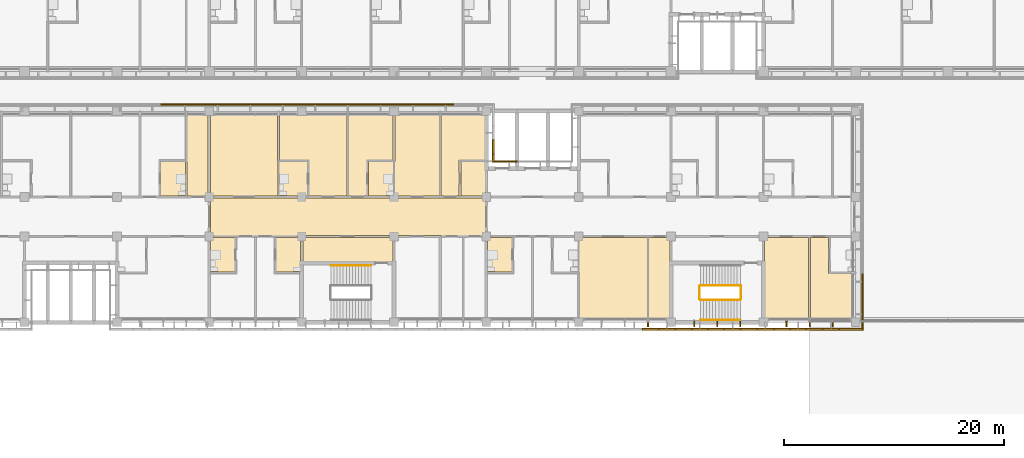
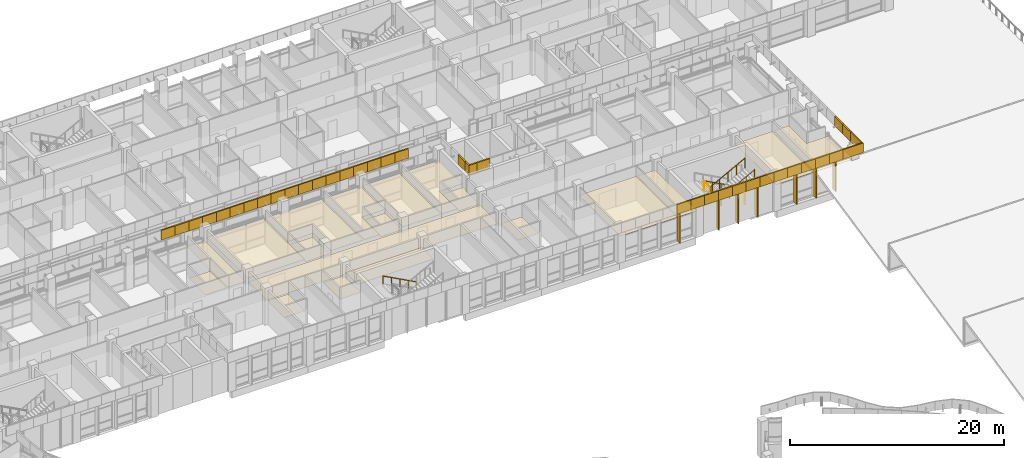
# One storey, part 128 of 137: 57 coverings, 7 shading devices, 6 railings.
"""IFC4 building model written with IfcOpenShell, lengths in metres."""

from ifc_helpers import new_model, si_unit, direction, frame, origin, origin_2d, place, context, subcontext, project, spatial, polyline, rectangle, circle, outline, extrude, material, layer, layer_set, material_profile, profile_set, type_object, element, save


model = new_model("IFC4")

# Units and contexts
model_context = context("Model", 3, precision=1e-05, world=origin(), true_north=direction((0.0, 1.0)))
body_context = subcontext(model_context, "Body", "Model", "MODEL_VIEW")
ifc_project = project(units=[si_unit("LENGTHUNIT", "METRE"), si_unit("AREAUNIT", "SQUARE_METRE"), si_unit("VOLUMEUNIT", "CUBIC_METRE"), si_unit("PLANEANGLEUNIT", "RADIAN"), si_unit("MASSUNIT", "GRAM", prefix="KILO")], contexts=[model_context])

# Site, building, storey
site_placement = place(None, origin())
site = spatial("IfcSite", under=ifc_project, at=site_placement, CompositionType="ELEMENT")
building_placement = place(site_placement, origin())
building = spatial("IfcBuilding", under=site, at=building_placement, Name="Bougainvillea Quay General Hospital", CompositionType="ELEMENT")
storey_placement = place(building_placement, frame((0.0, 0.0, 16.800048828125)))
storey = spatial("IfcBuildingStorey", under=building, at=storey_placement, Name="L03", CompositionType="ELEMENT", Elevation=16.800048828125)

# Coverings
ifc_material_1 = material(Name="Powder-coated aluminium fascia, white", Category="aluminium")
ifc_layer_1 = layer(ifc_material_1, 0.14990234375)
ifc_layer_set_1 = layer_set([ifc_layer_1], Name="Powder-coated aluminium fascia, white")
covering_type_1 = type_object("IfcCoveringType", Name="Aluminium fascia band white 150x1100", PredefinedType="CLADDING", material=ifc_layer_set_1)
covering_1_placement = place(storey_placement, frame((148.586669921875, 117.050048828125, 3.64990234375), z_axis=(0.0, 0.0, 1.0), x_axis=(1.0, 0.0, 0.0)))
element("IfcCovering", 1, at=covering_1_placement, inside=storey, type_object=covering_type_1, Name="Fascia band white e1 58", PredefinedType="CLADDING", context=body_context, shape_type="SweptSolid", body=[
    extrude(outline(polyline([(0.0, 0.0), (1.493408203125, 0.0), (1.493408203125, -0.150146484375), (0.0, -0.150146484375), (0.0, 0.0)])), origin(), (0.0, 0.0, 1.0), 1.10009765625),
])
covering_2_placement = place(storey_placement, frame((150.080078125, 117.050048828125, 3.64990234375), z_axis=(0.0, 0.0, 1.0), x_axis=(1.0, 0.0, 0.0)))
element("IfcCovering", 2, at=covering_2_placement, inside=storey, type_object=covering_type_1, Name="Fascia band white e1 59", PredefinedType="CLADDING", context=body_context, shape_type="SweptSolid", body=[
    extrude(outline(polyline([(0.0, 0.0), (1.4931640625, 0.0), (1.4931640625, -0.150146484375), (0.0, -0.150146484375), (0.0, 0.0)])), origin(), (0.0, 0.0, 1.0), 1.10009765625),
])
for number, where, z_axis, x_axis, name in (
    (3, (151.5732421875, 117.050048828125, 3.64990234375), (0.0, 0.0, 1.0), (1.0, 0.0, 0.0), "Fascia band white e1 60"),
    (4, (153.066650390625, 117.050048828125, 3.64990234375), (0.0, 0.0, 1.0), (1.0, 0.0, 0.0), "Fascia band white e1 61"),
):
    element("IfcCovering", number, at=place(storey_placement, frame(where, z_axis=z_axis, x_axis=x_axis)), inside=storey, type_object=covering_type_1, Name=name, PredefinedType="CLADDING", context=body_context, shape_type="SweptSolid", body=[
        extrude(outline(polyline([(0.0, 0.0), (1.493408203125, 0.0), (1.493408203125, -0.150146484375), (0.0, -0.150146484375), (0.0, 0.0)])), origin(), (0.0, 0.0, 1.0), 1.10009765625),
    ])
covering_3_placement = place(storey_placement, frame((154.56005859375, 117.050048828125, 3.64990234375), z_axis=(0.0, 0.0, 1.0), x_axis=(1.0, 0.0, 0.0)))
element("IfcCovering", 5, at=covering_3_placement, inside=storey, type_object=covering_type_1, Name="Fascia band white e1 62", PredefinedType="CLADDING", context=body_context, shape_type="SweptSolid", body=[
    extrude(outline(polyline([(0.0, 0.0), (1.4931640625, 0.0), (1.4931640625, -0.150146484375), (0.0, -0.150146484375), (0.0, 0.0)])), origin(), (0.0, 0.0, 1.0), 1.10009765625),
])
for number, where, z_axis, x_axis, name in (
    (6, (156.05322265625, 117.050048828125, 3.64990234375), (0.0, 0.0, 1.0), (1.0, 0.0, 0.0), "Fascia band white e1 63"),
    (7, (157.546630859375, 117.050048828125, 3.64990234375), (0.0, 0.0, 1.0), (1.0, 0.0, 0.0), "Fascia band white e1 64"),
    (8, (159.0400390625, 117.050048828125, 3.64990234375), (0.0, 0.0, 1.0), (1.0, 0.0, 0.0), "Fascia band white e1 65"),
):
    element("IfcCovering", number, at=place(storey_placement, frame(where, z_axis=z_axis, x_axis=x_axis)), inside=storey, type_object=covering_type_1, Name=name, PredefinedType="CLADDING", context=body_context, shape_type="SweptSolid", body=[
        extrude(outline(polyline([(0.0, 0.0), (1.493408203125, 0.0), (1.493408203125, -0.150146484375), (0.0, -0.150146484375), (0.0, 0.0)])), origin(), (0.0, 0.0, 1.0), 1.10009765625),
    ])
covering_4_placement = place(storey_placement, frame((160.533447265625, 117.050048828125, 3.64990234375), z_axis=(0.0, 0.0, 1.0), x_axis=(1.0, 0.0, 0.0)))
element("IfcCovering", 9, at=covering_4_placement, inside=storey, type_object=covering_type_1, Name="Fascia band white e1 66", PredefinedType="CLADDING", context=body_context, shape_type="SweptSolid", body=[
    extrude(outline(polyline([(0.0, 0.0), (1.4931640625, 0.0), (1.4931640625, -0.150146484375), (0.0, -0.150146484375), (0.0, 0.0)])), origin(), (0.0, 0.0, 1.0), 1.10009765625),
])
for number, where, z_axis, x_axis, name in (
    (10, (162.026611328125, 117.050048828125, 3.64990234375), (0.0, 0.0, 1.0), (1.0, 0.0, 0.0), "Fascia band white e1 67"),
    (11, (163.52001953125, 117.050048828125, 3.64990234375), (0.0, 0.0, 1.0), (1.0, 0.0, 0.0), "Fascia band white e1 68"),
):
    element("IfcCovering", number, at=place(storey_placement, frame(where, z_axis=z_axis, x_axis=x_axis)), inside=storey, type_object=covering_type_1, Name=name, PredefinedType="CLADDING", context=body_context, shape_type="SweptSolid", body=[
        extrude(outline(polyline([(0.0, 0.0), (1.493408203125, 0.0), (1.493408203125, -0.150146484375), (0.0, -0.150146484375), (0.0, 0.0)])), origin(), (0.0, 0.0, 1.0), 1.10009765625),
    ])
covering_5_placement = place(storey_placement, frame((165.013427734375, 117.050048828125, 3.64990234375), z_axis=(0.0, 0.0, 1.0), x_axis=(1.0, 0.0, 0.0)))
element("IfcCovering", 12, at=covering_5_placement, inside=storey, type_object=covering_type_1, Name="Fascia band white e1 69", PredefinedType="CLADDING", context=body_context, shape_type="SweptSolid", body=[
    extrude(outline(polyline([(0.0, 0.0), (1.4931640625, 0.0), (1.4931640625, -0.150146484375), (0.0, -0.150146484375), (0.0, 0.0)])), origin(), (0.0, 0.0, 1.0), 1.10009765625),
])
covering_6_placement = place(storey_placement, frame((166.506591796875, 117.050048828125, 3.64990234375), z_axis=(0.0, 0.0, 1.0), x_axis=(1.0, 0.0, 0.0)))
element("IfcCovering", 13, at=covering_6_placement, inside=storey, type_object=covering_type_1, Name="Fascia band white e1 70", PredefinedType="CLADDING", context=body_context, shape_type="SweptSolid", body=[
    extrude(outline(polyline([(0.0, 0.0), (2.04345703125, 0.0), (2.193359375, -0.150146484375), (0.0, -0.150146484375), (0.0, 0.0)])), origin(), (0.0, 0.0, 1.0), 1.10009765625),
])
covering_7_placement = place(storey_placement, frame((168.550048828125, 117.050048828125, 3.64990234375), z_axis=(0.0, 0.0, 1.0), x_axis=(0.0, 1.0, 0.0)))
element("IfcCovering", 14, at=covering_7_placement, inside=storey, type_object=covering_type_1, Name="Fascia band white e1 71", PredefinedType="CLADDING", context=body_context, shape_type="SweptSolid", body=[
    extrude(outline(polyline([(0.0, 0.0), (2.02685546875, 0.0), (2.02685546875, -0.14990234375), (-0.150146484375, -0.14990234375), (0.0, 0.0)])), origin(), (0.0, 0.0, 1.0), 1.10009765625),
])
covering_8_placement = place(storey_placement, frame((168.550048828125, 119.076904296875, 3.64990234375), z_axis=(0.0, 0.0, 1.0), x_axis=(0.0, 1.0, 0.0)))
element("IfcCovering", 15, at=covering_8_placement, inside=storey, type_object=covering_type_1, Name="Fascia band white e1 72", PredefinedType="CLADDING", context=body_context, shape_type="SweptSolid", body=[
    extrude(outline(polyline([(0.0, 0.0), (1.47705078125, 0.0), (1.47705078125, -0.14990234375), (0.0, -0.14990234375), (0.0, 0.0)])), origin(), (0.0, 0.0, 1.0), 1.10009765625),
])
covering_9_placement = place(storey_placement, frame((168.550048828125, 120.553955078125, 3.64990234375), z_axis=(0.0, 0.0, 1.0), x_axis=(0.0, 1.0, 0.0)))
element("IfcCovering", 16, at=covering_9_placement, inside=storey, type_object=covering_type_1, Name="Fascia band white e1 73", PredefinedType="CLADDING", context=body_context, shape_type="SweptSolid", body=[
    extrude(outline(polyline([(0.0, 0.0), (1.476806640625, 0.0), (1.476806640625, -0.14990234375), (0.0, -0.14990234375), (0.0, 0.0)])), origin(), (0.0, 0.0, 1.0), 1.10009765625),
])
covering_10_placement = place(storey_placement, frame((137.199951171875, 132.14990234375, 3.64990234375), z_axis=(0.0, 0.0, 1.0), x_axis=(-1.0, 0.0, 0.0)))
element("IfcCovering", 17, at=covering_10_placement, inside=storey, type_object=covering_type_1, Name="Fascia band white e1 109", PredefinedType="CLADDING", context=body_context, shape_type="SweptSolid", body=[
    extrude(outline(polyline([(0.0, 0.0), (1.39990234375, 0.0), (1.39990234375, -0.150146484375), (0.0, -0.150146484375), (0.0, 0.0)])), origin(), (0.0, 0.0, 1.0), 1.10009765625),
])
covering_11_placement = place(storey_placement, frame((135.800048828125, 132.14990234375, 3.64990234375), z_axis=(0.0, 0.0, 1.0), x_axis=(-1.0, 0.0, 0.0)))
element("IfcCovering", 18, at=covering_11_placement, inside=storey, type_object=covering_type_1, Name="Fascia band white e1 110", PredefinedType="CLADDING", context=body_context, shape_type="SweptSolid", body=[
    extrude(outline(polyline([(0.0, 0.0), (0.85009765625, 0.0), (0.699951171875, -0.150146484375), (0.0, -0.150146484375), (0.0, 0.0)])), origin(), (0.0, 0.0, 1.0), 1.10009765625),
])
covering_12_placement = place(storey_placement, frame((134.949951171875, 132.14990234375, 3.64990234375), z_axis=(0.0, 0.0, 1.0), x_axis=(0.0, 1.0, 0.0)))
element("IfcCovering", 19, at=covering_12_placement, inside=storey, type_object=covering_type_1, Name="Fascia band white e1 111", PredefinedType="CLADDING", context=body_context, shape_type="SweptSolid", body=[
    extrude(outline(polyline([(0.0, 0.0), (0.75, 0.0), (0.75, -0.150146484375), (0.150146484375, -0.150146484375), (0.0, 0.0)])), origin(), (0.0, 0.0, 1.0), 1.10009765625),
])
covering_13_placement = place(storey_placement, frame((134.949951171875, 132.89990234375, 3.64990234375), z_axis=(0.0, 0.0, 1.0), x_axis=(0.0, 1.0, 0.0)))
element("IfcCovering", 20, at=covering_13_placement, inside=storey, type_object=covering_type_1, Name="Fascia band white e1 112", PredefinedType="CLADDING", context=body_context, shape_type="SweptSolid", body=[
    extrude(outline(polyline([(0.0, 0.0), (1.300048828125, 0.0), (1.300048828125, -0.150146484375), (0.0, -0.150146484375), (0.0, 0.0)])), origin(), (0.0, 0.0, 1.0), 1.10009765625),
])
for number, where, z_axis, x_axis, name in (
    (21, (131.436767578125, 137.35009765625, 3.64990234375), (0.0, 0.0, 1.0), (-1.0, 0.0, 0.0), "Fascia band white e1 117"),
    (22, (129.955078125, 137.35009765625, 3.64990234375), (0.0, 0.0, 1.0), (-1.0, 0.0, 0.0), "Fascia band white e1 118"),
    (23, (128.473388671875, 137.35009765625, 3.64990234375), (0.0, 0.0, 1.0), (-1.0, 0.0, 0.0), "Fascia band white e1 119"),
    (24, (126.99169921875, 137.35009765625, 3.64990234375), (0.0, 0.0, 1.0), (-1.0, 0.0, 0.0), "Fascia band white e1 120"),
    (25, (125.510009765625, 137.35009765625, 3.64990234375), (0.0, 0.0, 1.0), (-1.0, 0.0, 0.0), "Fascia band white e1 121"),
    (26, (124.0283203125, 137.35009765625, 3.64990234375), (0.0, 0.0, 1.0), (-1.0, 0.0, 0.0), "Fascia band white e1 122"),
    (27, (122.546630859375, 137.35009765625, 3.64990234375), (0.0, 0.0, 1.0), (-1.0, 0.0, 0.0), "Fascia band white e1 123"),
    (28, (121.06494140625, 137.35009765625, 3.64990234375), (0.0, 0.0, 1.0), (-1.0, 0.0, 0.0), "Fascia band white e1 124"),
    (29, (119.583251953125, 137.35009765625, 3.64990234375), (0.0, 0.0, 1.0), (-1.0, 0.0, 0.0), "Fascia band white e1 125"),
):
    element("IfcCovering", number, at=place(storey_placement, frame(where, z_axis=z_axis, x_axis=x_axis)), inside=storey, type_object=covering_type_1, Name=name, PredefinedType="CLADDING", context=body_context, shape_type="SweptSolid", body=[
        extrude(outline(polyline([(0.0, 0.0), (1.481689453125, 0.0), (1.481689453125, -0.14990234375), (0.0, -0.14990234375), (0.0, 0.0)])), origin(), (0.0, 0.0, 1.0), 1.10009765625),
    ])
covering_14_placement = place(storey_placement, frame((118.1015625, 137.35009765625, 3.64990234375), z_axis=(0.0, 0.0, 1.0), x_axis=(-1.0, 0.0, 0.0)))
element("IfcCovering", 30, at=covering_14_placement, inside=storey, type_object=covering_type_1, Name="Fascia band white e1 126", PredefinedType="CLADDING", context=body_context, shape_type="SweptSolid", body=[
    extrude(outline(polyline([(0.0, 0.0), (1.4814453125, 0.0), (1.4814453125, -0.14990234375), (0.0, -0.14990234375), (0.0, 0.0)])), origin(), (0.0, 0.0, 1.0), 1.10009765625),
])
for number, where, z_axis, x_axis, name in (
    (31, (116.6201171875, 137.35009765625, 3.64990234375), (0.0, 0.0, 1.0), (-1.0, 0.0, 0.0), "Fascia band white e1 127"),
    (32, (115.138427734375, 137.35009765625, 3.64990234375), (0.0, 0.0, 1.0), (-1.0, 0.0, 0.0), "Fascia band white e1 128"),
    (33, (113.65673828125, 137.35009765625, 3.64990234375), (0.0, 0.0, 1.0), (-1.0, 0.0, 0.0), "Fascia band white e1 129"),
    (34, (112.175048828125, 137.35009765625, 3.64990234375), (0.0, 0.0, 1.0), (-1.0, 0.0, 0.0), "Fascia band white e1 130"),
    (35, (110.693359375, 137.35009765625, 3.64990234375), (0.0, 0.0, 1.0), (-1.0, 0.0, 0.0), "Fascia band white e1 131"),
    (36, (109.211669921875, 137.35009765625, 3.64990234375), (0.0, 0.0, 1.0), (-1.0, 0.0, 0.0), "Fascia band white e1 132"),
    (37, (107.72998046875, 137.35009765625, 3.64990234375), (0.0, 0.0, 1.0), (-1.0, 0.0, 0.0), "Fascia band white e1 133"),
    (38, (106.248291015625, 137.35009765625, 3.64990234375), (0.0, 0.0, 1.0), (-1.0, 0.0, 0.0), "Fascia band white e1 134"),
):
    element("IfcCovering", number, at=place(storey_placement, frame(where, z_axis=z_axis, x_axis=x_axis)), inside=storey, type_object=covering_type_1, Name=name, PredefinedType="CLADDING", context=body_context, shape_type="SweptSolid", body=[
        extrude(outline(polyline([(0.0, 0.0), (1.481689453125, 0.0), (1.481689453125, -0.14990234375), (0.0, -0.14990234375), (0.0, 0.0)])), origin(), (0.0, 0.0, 1.0), 1.10009765625),
    ])

# Railings
ifc_material_2 = material(Name="Stainless steel 304 balustrade", Category="steel")
railing_type_1 = type_object("IfcRailingType", Name="Stair guard 1100", PredefinedType="GUARDRAIL", material=ifc_material_2)
railing_1_placement = place(storey_placement, frame((157.5, 120.949951171875, 0.14990234375)))
element("IfcRailing", 39, at=railing_1_placement, inside=storey, type_object=railing_type_1, Name="L03 ST-B4 stair guard 1", PredefinedType="GUARDRAIL", context=body_context, shape_type="SweptSolid", body=[
    extrude(circle(Radius=0.02392578125, at=origin_2d()), frame((0.0, 0.0, 1.076171875), z_axis=(-0.881479091078, 0.0, 0.472223053219), x_axis=(0.0, -1.0, 0.0)), (0.0, 0.0, 1.0), 4.12939453125),
    extrude(circle(Radius=0.02099609375, at=origin_2d()), origin(), (0.0, 0.0, 1.0), 1.052001953125),
    extrude(circle(Radius=0.02099609375, at=origin_2d()), frame((-0.909912109375, 0.0, 0.487548828125)), (0.0, 0.0, 1.0), 1.052001953125),
    extrude(circle(Radius=0.02099609375, at=origin_2d()), frame((-1.81982421875, 0.0, 0.97509765625)), (0.0, 0.0, 1.0), 1.052001953125),
    extrude(circle(Radius=0.02099609375, at=origin_2d()), frame((-2.72998046875, 0.0, 1.46240234375)), (0.0, 0.0, 1.0), 1.052001953125),
    extrude(circle(Radius=0.02099609375, at=origin_2d()), frame((-3.639892578125, 0.0, 1.949951171875)), (0.0, 0.0, 1.0), 1.052001953125),
])
railing_2_placement = place(storey_placement, frame((153.81005859375, 120.89990234375, 2.099853515625)))
element("IfcRailing", 40, at=railing_2_placement, inside=storey, type_object=railing_type_1, Name="L03 ST-B4 stair guard 2", PredefinedType="GUARDRAIL", context=body_context, shape_type="SweptSolid", body=[
    extrude(circle(Radius=0.02392578125, at=origin_2d()), frame((0.0, 0.0, 1.076171875), z_axis=(0.0, -1.0, 0.0), x_axis=(1.0, 0.0, 0.0)), (0.0, 0.0, 1.0), 1.199951171875),
    extrude(circle(Radius=0.02099609375, at=origin_2d()), origin(), (0.0, 0.0, 1.0), 1.052001953125),
    extrude(circle(Radius=0.02099609375, at=origin_2d()), frame((0.0, -1.199951171875, 0.0)), (0.0, 0.0, 1.0), 1.052001953125),
])
railing_3_placement = place(storey_placement, frame((153.860107421875, 119.64990234375, 2.25)))
element("IfcRailing", 41, at=railing_3_placement, inside=storey, type_object=railing_type_1, Name="L03 ST-B4 stair guard 3", PredefinedType="GUARDRAIL", context=body_context, shape_type="SweptSolid", body=[
    extrude(circle(Radius=0.02392578125, at=origin_2d()), frame((0.0, 0.0, 1.076171875), z_axis=(0.881479091078, 0.0, 0.472223053219), x_axis=(0.0, 1.0, 0.0)), (0.0, 0.0, 1.0), 4.12939453125),
    extrude(circle(Radius=0.02099609375, at=origin_2d()), origin(), (0.0, 0.0, 1.0), 1.052001953125),
    extrude(circle(Radius=0.02099609375, at=origin_2d()), frame((0.909912109375, 0.0, 0.487548828125)), (0.0, 0.0, 1.0), 1.052001953125),
    extrude(circle(Radius=0.02099609375, at=origin_2d()), frame((1.81982421875, 0.0, 0.97509765625)), (0.0, 0.0, 1.0), 1.052001953125),
    extrude(circle(Radius=0.02099609375, at=origin_2d()), frame((2.72998046875, 0.0, 1.46240234375)), (0.0, 0.0, 1.0), 1.052001953125),
    extrude(circle(Radius=0.02099609375, at=origin_2d()), frame((3.639892578125, 0.0, 1.949951171875)), (0.0, 0.0, 1.0), 1.052001953125),
])
railing_4_placement = place(storey_placement, frame((157.550048828125, 120.89990234375, 0.0)))
element("IfcRailing", 42, at=railing_4_placement, inside=storey, type_object=railing_type_1, Name="L03 ST-B4 stair guard 4", PredefinedType="GUARDRAIL", context=body_context, shape_type="SweptSolid", body=[
    extrude(circle(Radius=0.02392578125, at=origin_2d()), frame((0.0, 0.0, 1.076171875), z_axis=(0.0, -1.0, 0.0), x_axis=(1.0, 0.0, 0.0)), (0.0, 0.0, 1.0), 1.199951171875),
    extrude(circle(Radius=0.02099609375, at=origin_2d()), origin(), (0.0, 0.0, 1.0), 1.052001953125),
    extrude(circle(Radius=0.02099609375, at=origin_2d()), frame((0.0, -1.199951171875, 0.0)), (0.0, 0.0, 1.0), 1.052001953125),
])
ifc_material_3 = material(Name="Stainless steel 304 handrail", Category="steel")
railing_type_2 = type_object("IfcRailingType", Name="Stair handrail 900", PredefinedType="HANDRAIL", material=ifc_material_3)
railing_5_placement = place(storey_placement, frame((123.89990234375, 122.77490234375, 0.14990234375)))
element("IfcRailing", 43, at=railing_5_placement, inside=storey, type_object=railing_type_2, Name="L03 ST-B3 stair handrail 1", PredefinedType="HANDRAIL", context=body_context, shape_type="SweptSolid", body=[
    extrude(circle(Radius=0.02392578125, at=origin_2d()), frame((0.0, 0.0, 0.8759765625), z_axis=(-0.881479091078, 0.0, 0.472223053219), x_axis=(0.0, -1.0, 0.0)), (0.0, 0.0, 1.0), 4.12939453125),
    extrude(circle(Radius=0.02099609375, at=origin_2d()), origin(), (0.0, 0.0, 1.0), 0.851806640625),
    extrude(circle(Radius=0.02099609375, at=origin_2d()), frame((-0.909912109375, 0.0, 0.487548828125)), (0.0, 0.0, 1.0), 0.851806640625),
    extrude(circle(Radius=0.02099609375, at=origin_2d()), frame((-1.81982421875, 0.0, 0.97509765625)), (0.0, 0.0, 1.0), 0.851806640625),
    extrude(circle(Radius=0.02099609375, at=origin_2d()), frame((-2.72998046875, 0.0, 1.46240234375)), (0.0, 0.0, 1.0), 0.851806640625),
    extrude(circle(Radius=0.02099609375, at=origin_2d()), frame((-3.639892578125, 0.0, 1.949951171875)), (0.0, 0.0, 1.0), 0.851806640625),
])
railing_6_placement = place(storey_placement, frame((153.860107421875, 117.824951171875, 2.25)))
element("IfcRailing", 44, at=railing_6_placement, inside=storey, type_object=railing_type_2, Name="L03 ST-B4 stair handrail 2", PredefinedType="HANDRAIL", context=body_context, shape_type="SweptSolid", body=[
    extrude(circle(Radius=0.02392578125, at=origin_2d()), frame((0.0, 0.0, 0.8759765625), z_axis=(0.881479091078, 0.0, 0.472223053219), x_axis=(0.0, 1.0, 0.0)), (0.0, 0.0, 1.0), 4.12939453125),
    extrude(circle(Radius=0.02099609375, at=origin_2d()), origin(), (0.0, 0.0, 1.0), 0.851806640625),
    extrude(circle(Radius=0.02099609375, at=origin_2d()), frame((0.909912109375, 0.0, 0.487548828125)), (0.0, 0.0, 1.0), 0.851806640625),
    extrude(circle(Radius=0.02099609375, at=origin_2d()), frame((1.81982421875, 0.0, 0.97509765625)), (0.0, 0.0, 1.0), 0.851806640625),
    extrude(circle(Radius=0.02099609375, at=origin_2d()), frame((2.72998046875, 0.0, 1.46240234375)), (0.0, 0.0, 1.0), 0.851806640625),
    extrude(circle(Radius=0.02099609375, at=origin_2d()), frame((3.639892578125, 0.0, 1.949951171875)), (0.0, 0.0, 1.0), 0.851806640625),
])

# Coverings
ifc_material_4 = material(Name="Mineral fibre ceiling tile")
ifc_layer_2 = layer(ifc_material_4, 0.030029296875)
ifc_layer_set_2 = layer_set([ifc_layer_2], Name="Mineral fibre ceiling tile")
covering_type_2 = type_object("IfcCoveringType", Name="Suspended ceiling mineral fibre tile", PredefinedType="CEILING", material=ifc_layer_set_2)
covering_15_placement = place(storey_placement, frame((0.0, 0.0, 2.699951171875)))
element("IfcCovering", 45, at=covering_15_placement, inside=storey, type_object=covering_type_2, Name="Ceiling Refuge Room RR-B4-L03", PredefinedType="CEILING", context=body_context, shape_type="SweptSolid", body=[
    extrude(outline(polyline([(163.699951171875, 117.60009765625), (163.699951171875, 125.300048828125), (159.699951171875, 125.300048828125), (159.699951171875, 117.60009765625), (163.699951171875, 117.60009765625)])), origin(), (0.0, 0.0, 1.0), 0.030029296875),
])
covering_16_placement = place(storey_placement, frame((0.0, 0.0, 2.699951171875)))
element("IfcCovering", 46, at=covering_16_placement, inside=storey, type_object=covering_type_2, Name="Ceiling Smoke-proof Vestibule ST-B3", PredefinedType="CEILING", context=body_context, shape_type="SweptSolid", body=[
    extrude(outline(polyline([(117.699951171875, 123.10009765625), (125.89990234375, 123.10009765625), (125.89990234375, 125.300048828125), (117.699951171875, 125.300048828125), (117.699951171875, 123.10009765625)])), origin(), (0.0, 0.0, 1.0), 0.030029296875),
])
covering_17_placement = place(storey_placement, frame((0.0, 0.0, 2.39990234375)))
element("IfcCovering", 47, at=covering_17_placement, inside=storey, type_object=covering_type_2, Name="Ceiling En-suite 03B13", PredefinedType="CEILING", context=body_context, shape_type="SweptSolid", body=[
    extrude(outline(polyline([(104.77490234375, 132.22509765625), (104.77490234375, 129.074951171875), (107.050048828125, 129.074951171875), (107.050048828125, 132.22509765625), (104.77490234375, 132.22509765625)])), origin(), (0.0, 0.0, 1.0), 0.030029296875),
])
covering_18_placement = place(storey_placement, frame((0.0, 0.0, 2.39990234375)))
element("IfcCovering", 48, at=covering_18_placement, inside=storey, type_object=covering_type_2, Name="Ceiling Cleaners' Store 03B14", PredefinedType="CEILING", context=body_context, shape_type="SweptSolid", body=[
    extrude(outline(polyline([(107.175048828125, 136.800048828125), (107.175048828125, 132.22509765625), (107.14990234375, 132.22509765625), (107.14990234375, 129.074951171875), (109.10009765625, 129.074951171875), (109.10009765625, 136.800048828125), (107.175048828125, 136.800048828125)])), origin(), (0.0, 0.0, 1.0), 0.030029296875),
])
covering_19_placement = place(storey_placement, frame((0.0, 0.0, 2.39990234375)))
element("IfcCovering", 49, at=covering_19_placement, inside=storey, type_object=covering_type_2, Name="Ceiling En-suite 03B17", PredefinedType="CEILING", context=body_context, shape_type="SweptSolid", body=[
    extrude(outline(polyline([(111.52490234375, 125.324951171875), (109.300048828125, 125.324951171875), (109.300048828125, 122.175048828125), (111.52490234375, 122.175048828125), (111.52490234375, 125.324951171875)])), origin(), (0.0, 0.0, 1.0), 0.030029296875),
])
covering_20_placement = place(storey_placement, frame((0.0, 0.0, 2.39990234375)))
element("IfcCovering", 50, at=covering_20_placement, inside=storey, type_object=covering_type_2, Name="Ceiling En-suite 03B18", PredefinedType="CEILING", context=body_context, shape_type="SweptSolid", body=[
    extrude(outline(polyline([(117.5, 122.89990234375), (117.5, 125.324951171875), (115.27490234375, 125.324951171875), (115.27490234375, 122.175048828125), (117.550048828125, 122.175048828125), (117.550048828125, 122.89990234375), (117.5, 122.89990234375)])), origin(), (0.0, 0.0, 1.0), 0.030029296875),
])
covering_21_placement = place(storey_placement, frame((0.0, 0.0, 2.699951171875)))
element("IfcCovering", 51, at=covering_21_placement, inside=storey, type_object=covering_type_2, Name="Ceiling Nurses' Station 03B19", PredefinedType="CEILING", context=body_context, shape_type="SweptSolid", body=[
    extrude(outline(polyline([(109.300048828125, 136.800048828125), (109.300048828125, 129.074951171875), (115.449951171875, 129.074951171875), (115.449951171875, 132.22509765625), (115.425048828125, 132.22509765625), (115.425048828125, 136.800048828125), (109.300048828125, 136.800048828125)])), origin(), (0.0, 0.0, 1.0), 0.030029296875),
])
covering_22_placement = place(storey_placement, frame((0.0, 0.0, 2.699951171875)))
element("IfcCovering", 52, at=covering_22_placement, inside=storey, type_object=covering_type_2, Name="Ceiling Two-bed Postnatal Room 03B20", PredefinedType="CEILING", context=body_context, shape_type="SweptSolid", body=[
    extrude(outline(polyline([(115.574951171875, 136.800048828125), (115.574951171875, 132.375), (118.27490234375, 132.375), (118.27490234375, 129.074951171875), (121.72509765625, 129.074951171875), (121.72509765625, 136.800048828125), (115.574951171875, 136.800048828125)])), origin(), (0.0, 0.0, 1.0), 0.030029296875),
])
covering_23_placement = place(storey_placement, frame((0.0, 0.0, 2.39990234375)))
element("IfcCovering", 53, at=covering_23_placement, inside=storey, type_object=covering_type_2, Name="Ceiling En-suite 03B20", PredefinedType="CEILING", context=body_context, shape_type="SweptSolid", body=[
    extrude(outline(polyline([(118.125, 129.074951171875), (118.125, 132.22509765625), (115.550048828125, 132.22509765625), (115.550048828125, 129.074951171875), (118.125, 129.074951171875)])), origin(), (0.0, 0.0, 1.0), 0.030029296875),
])
covering_24_placement = place(storey_placement, frame((0.0, 0.0, 2.699951171875)))
element("IfcCovering", 54, at=covering_24_placement, inside=storey, type_object=covering_type_2, Name="Ceiling Postnatal Patient Room 03B21", PredefinedType="CEILING", context=body_context, shape_type="SweptSolid", body=[
    extrude(outline(polyline([(121.875, 136.800048828125), (121.875, 129.074951171875), (123.52490234375, 129.074951171875), (123.52490234375, 132.375), (125.925048828125, 132.375), (125.925048828125, 136.800048828125), (121.875, 136.800048828125)])), origin(), (0.0, 0.0, 1.0), 0.030029296875),
])
covering_25_placement = place(storey_placement, frame((0.0, 0.0, 2.39990234375)))
element("IfcCovering", 55, at=covering_25_placement, inside=storey, type_object=covering_type_2, Name="Ceiling En-suite 03B21", PredefinedType="CEILING", context=body_context, shape_type="SweptSolid", body=[
    extrude(outline(polyline([(123.675048828125, 129.074951171875), (125.949951171875, 129.074951171875), (125.949951171875, 132.22509765625), (123.675048828125, 132.22509765625), (123.675048828125, 129.074951171875)])), origin(), (0.0, 0.0, 1.0), 0.030029296875),
])
covering_26_placement = place(storey_placement, frame((0.0, 0.0, 2.699951171875)))
element("IfcCovering", 56, at=covering_26_placement, inside=storey, type_object=covering_type_2, Name="Ceiling Treatment and Clean Utility Room 03B22", PredefinedType="CEILING", context=body_context, shape_type="SweptSolid", body=[
    extrude(outline(polyline([(126.074951171875, 136.800048828125), (126.074951171875, 132.22509765625), (126.050048828125, 132.22509765625), (126.050048828125, 129.074951171875), (130.125, 129.074951171875), (130.125, 136.800048828125), (126.074951171875, 136.800048828125)])), origin(), (0.0, 0.0, 1.0), 0.030029296875),
])
covering_27_placement = place(storey_placement, frame((0.0, 0.0, 2.699951171875)))
element("IfcCovering", 57, at=covering_27_placement, inside=storey, type_object=covering_type_2, Name="Ceiling Postnatal Patient Room 03B23", PredefinedType="CEILING", context=body_context, shape_type="SweptSolid", body=[
    extrude(outline(polyline([(130.27490234375, 136.800048828125), (130.27490234375, 129.074951171875), (131.925048828125, 129.074951171875), (131.925048828125, 132.375), (134.39990234375, 132.375), (134.39990234375, 136.800048828125), (130.27490234375, 136.800048828125)])), origin(), (0.0, 0.0, 1.0), 0.030029296875),
])
covering_28_placement = place(storey_placement, frame((0.0, 0.0, 2.39990234375)))
element("IfcCovering", 58, at=covering_28_placement, inside=storey, type_object=covering_type_2, Name="Ceiling En-suite 03B23", PredefinedType="CEILING", context=body_context, shape_type="SweptSolid", body=[
    extrude(outline(polyline([(134.39990234375, 132.22509765625), (132.074951171875, 132.22509765625), (132.074951171875, 129.074951171875), (134.300048828125, 129.074951171875), (134.300048828125, 131.60009765625), (134.39990234375, 131.60009765625), (134.39990234375, 132.22509765625)])), origin(), (0.0, 0.0, 1.0), 0.030029296875),
])
covering_29_placement = place(storey_placement, frame((0.0, 0.0, 2.39990234375)))
element("IfcCovering", 59, at=covering_29_placement, inside=storey, type_object=covering_type_2, Name="Ceiling En-suite 03B26", PredefinedType="CEILING", context=body_context, shape_type="SweptSolid", body=[
    extrude(outline(polyline([(136.72509765625, 122.175048828125), (136.72509765625, 125.324951171875), (134.5, 125.324951171875), (134.5, 122.175048828125), (136.72509765625, 122.175048828125)])), origin(), (0.0, 0.0, 1.0), 0.030029296875),
])
covering_30_placement = place(storey_placement, frame((0.0, 0.0, 2.699951171875)))
element("IfcCovering", 60, at=covering_30_placement, inside=storey, type_object=covering_type_2, Name="Ceiling Nurses' Station 03B28", PredefinedType="CEILING", context=body_context, shape_type="SweptSolid", body=[
    extrude(outline(polyline([(149.050048828125, 117.60009765625), (149.050048828125, 125.324951171875), (142.85009765625, 125.324951171875), (142.85009765625, 122.175048828125), (142.875, 122.175048828125), (142.875, 117.60009765625), (149.050048828125, 117.60009765625)])), origin(), (0.0, 0.0, 1.0), 0.030029296875),
])
covering_31_placement = place(storey_placement, frame((0.0, 0.0, 2.699951171875)))
element("IfcCovering", 61, at=covering_31_placement, inside=storey, type_object=covering_type_2, Name="Ceiling Dirty Utility and Sluice Room 03B29", PredefinedType="CEILING", context=body_context, shape_type="SweptSolid", body=[
    extrude(outline(polyline([(151.14990234375, 117.60009765625), (151.14990234375, 122.89990234375), (151.10009765625, 122.89990234375), (151.10009765625, 125.324951171875), (149.14990234375, 125.324951171875), (149.14990234375, 117.60009765625), (151.14990234375, 117.60009765625)])), origin(), (0.0, 0.0, 1.0), 0.030029296875),
])
covering_32_placement = place(storey_placement, frame((0.0, 0.0, 2.699951171875)))
element("IfcCovering", 62, at=covering_32_placement, inside=storey, type_object=covering_type_2, Name="Ceiling Paediatric Patient Room 03B35", PredefinedType="CEILING", context=body_context, shape_type="SweptSolid", body=[
    extrude(outline(polyline([(168.0, 117.60009765625), (168.0, 122.02490234375), (165.52490234375, 122.02490234375), (165.52490234375, 125.324951171875), (163.89990234375, 125.324951171875), (163.89990234375, 117.60009765625), (168.0, 117.60009765625)])), origin(), (0.0, 0.0, 1.0), 0.030029296875),
])
covering_33_placement = place(storey_placement, frame((0.0, 0.0, 2.39990234375)))
element("IfcCovering", 63, at=covering_33_placement, inside=storey, type_object=covering_type_2, Name="Ceiling Ward Corridor B3", PredefinedType="CEILING", context=body_context, shape_type="SweptSolid", body=[
    extrude(outline(polyline([(109.300048828125, 125.47509765625), (117.5, 125.47509765625), (117.5, 125.5), (130.300048828125, 125.5), (130.300048828125, 125.47509765625), (134.300048828125, 125.47509765625), (134.300048828125, 128.925048828125), (109.300048828125, 128.925048828125), (109.300048828125, 125.47509765625)])), origin(), (0.0, 0.0, 1.0), 0.030029296875),
])

# Shading devices
ifc_material_5 = material(Name="Powder-coated aluminium fin, white", Category="aluminium")
ifc_material_profile = material_profile(ifc_material_5, rectangle(XDim=0.550048828125, YDim=0.10009765625, at=origin_2d()))
ifc_profile_set = profile_set([ifc_material_profile], Name="Powder-coated aluminium fin, white")
shading_device_type = type_object("IfcShadingDeviceType", Name="Vertical fin 550x100", PredefinedType="USERDEFINED", material=ifc_profile_set)
for number, where, z_axis, x_axis, name in (
    (64, (165.89990234375, 117.455078125, 0.0), (0.0, 0.0, 1.0), (0.0, -1.0, 0.0), "Vertical fin V5B L03 14.1"),
    (65, (163.800048828125, 117.455078125, 0.0), (0.0, 0.0, 1.0), (0.0, -1.0, 0.0), "Vertical fin V5B L03 14.2"),
    (66, (161.699951171875, 117.455078125, 0.0), (0.0, 0.0, 1.0), (0.0, -1.0, 0.0), "Vertical fin V5B L03 14.3"),
    (67, (157.5, 117.455078125, 0.0), (0.0, 0.0, 1.0), (0.0, -1.0, 0.0), "Vertical fin V5B L03 14.4"),
    (68, (155.39990234375, 117.455078125, 0.0), (0.0, 0.0, 1.0), (0.0, -1.0, 0.0), "Vertical fin V5B L03 14.5"),
    (69, (153.300048828125, 117.455078125, 0.0), (0.0, 0.0, 1.0), (0.0, -1.0, 0.0), "Vertical fin V5B L03 14.6"),
    (70, (149.10009765625, 117.455078125, 0.0), (0.0, 0.0, 1.0), (0.0, -1.0, 0.0), "Vertical fin V5B L03 14.7"),
):
    element("IfcShadingDevice", number, at=place(storey_placement, frame(where, z_axis=z_axis, x_axis=x_axis)), inside=storey, type_object=shading_device_type, Name=name, ObjectType="Vertical fin", PredefinedType="USERDEFINED", context=body_context, shape_type="SweptSolid", body=[
        extrude(rectangle(XDim=0.550048828125, YDim=0.10009765625, at=origin_2d()), origin(), (0.0, 0.0, 1.0), 3.6298828125),
    ])

save(model, "model.ifc")
